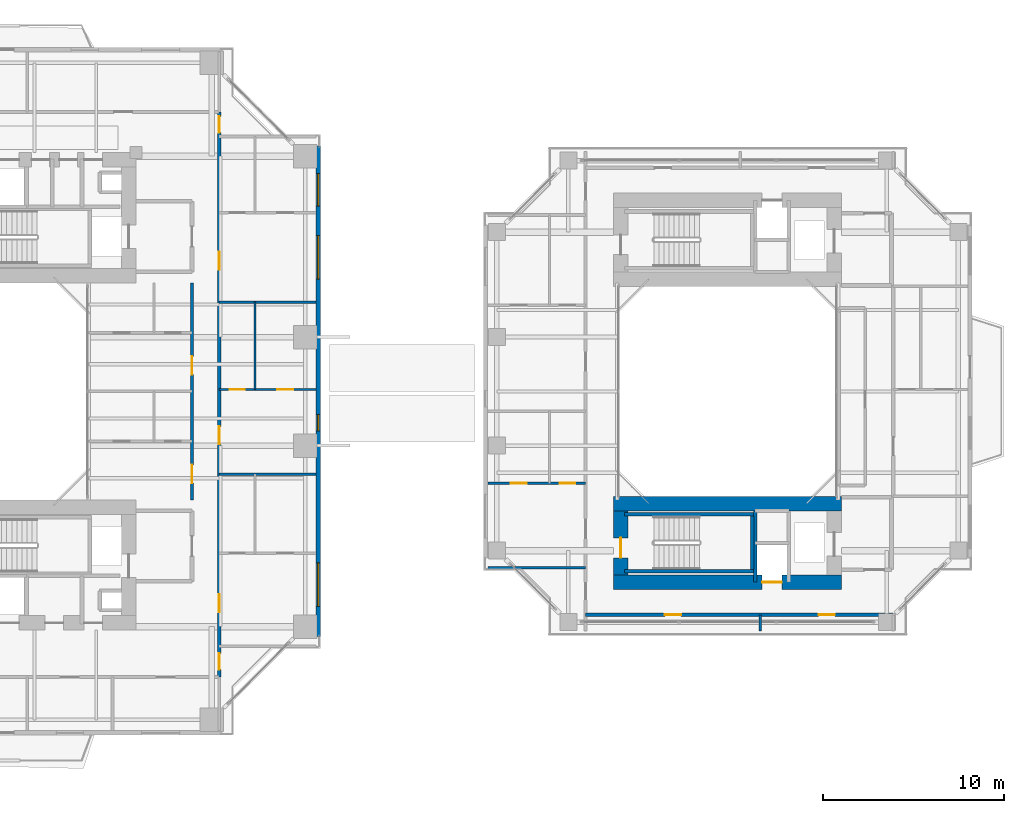
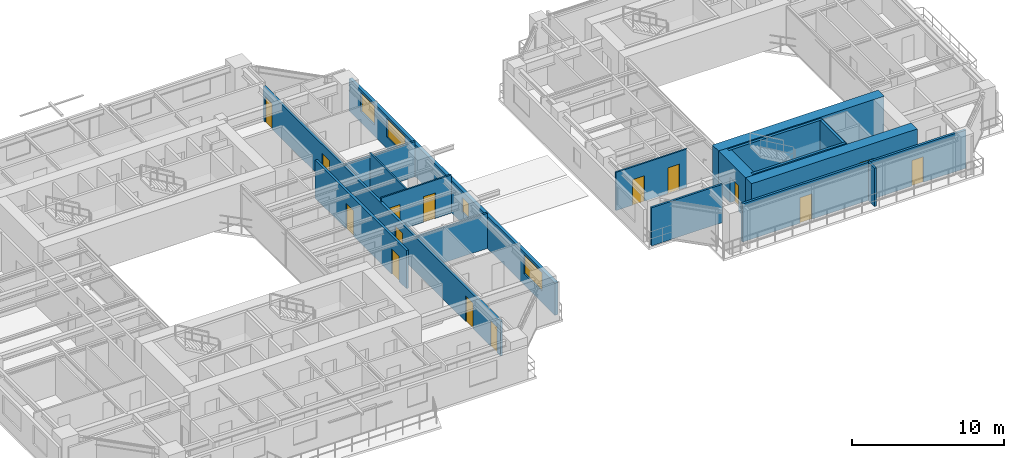
# One storey, part 14 of 23: 18 walls, 15 doors, 4 windows, 19 openings.
"""IFC4 building model written with IfcOpenShell, lengths in metres."""

from ifc_helpers import new_model, si_unit, direction, frame, frame_2d, origin, place, context, subcontext, project, spatial, rectangle, extrude, source, transform, mapped, material, layer, layer_set, type_object, element, fill, save


model = new_model("IFC4")

# Units and contexts
model_context = context("Model", 3, precision=1e-05, world=origin(), true_north=direction((0.0, 1.0)))
body_context = subcontext(model_context, "Body", "Model", "MODEL_VIEW")
ifc_project = project(units=[si_unit("LENGTHUNIT", "METRE"), si_unit("AREAUNIT", "SQUARE_METRE"), si_unit("VOLUMEUNIT", "CUBIC_METRE"), si_unit("PLANEANGLEUNIT", "RADIAN"), si_unit("MASSUNIT", "GRAM", prefix="KILO"), si_unit("THERMODYNAMICTEMPERATUREUNIT", "KELVIN"), si_unit("POWERUNIT", "WATT")], contexts=[model_context])

# Site, building, storey
site_placement = place(None, origin())
site = spatial("IfcSite", under=ifc_project, at=site_placement, CompositionType="ELEMENT")
building_placement = place(site_placement, origin())
building = spatial("IfcBuilding", under=site, at=building_placement, Name="Qiaomeng Ring Towers", CompositionType="ELEMENT")
storey_placement = place(building_placement, frame((0.0, 0.0, 50.25)))
storey = spatial("IfcBuildingStorey", under=building, at=storey_placement, Name="L13", CompositionType="ELEMENT", Elevation=50.25)

# Wall, openings, windows
ifc_material_1 = material(Name="Precast concrete C40", Category="concrete")
ifc_layer_1 = layer(ifc_material_1, 0.25, Name="Precast concrete C40")
ifc_layer_set_1 = layer_set([ifc_layer_1], Name="Precast concrete C40")
wall_type_1 = type_object("IfcWallType", Name="ARC-WL-EW1", PredefinedType="STANDARD", material=ifc_layer_set_1)
wall_1_placement = place(storey_placement, frame((37.875, 9.449951171875, 0.0), z_axis=(0.0, 0.0, 1.0), x_axis=(0.0, 1.0, 0.0)))
wall_1 = element("IfcWall", 1, at=wall_1_placement, inside=storey, type_object=wall_type_1, Name="L13 Tower 1 E Exterior Wall", PredefinedType="STANDARD", context=body_context, shape_type="SweptSolid", body=[
    extrude(rectangle(XDim=27.10009765625, YDim=0.25, at=frame_2d((13.550048828125, 0.0))), origin(), (0.0, 0.0, 1.0), 2.610107421875),
])
opening_1_placement = place(wall_1_placement, frame((1.672607421875, 0.0, 0.89990234375)))
opening_1 = element("IfcOpeningElement", 2, at=opening_1_placement, cuts=wall_1, Name="Opening WN6", PredefinedType="OPENING", context=body_context, shape_type="SweptSolid", body=[
    extrude(rectangle(XDim=2.39990234375, YDim=1.5, at=frame_2d((1.199951171875, 0.75))), frame((0.0, 0.135009765625, 0.0), z_axis=(0.0, -1.0, 0.0), x_axis=(1.0, 0.0, 0.0)), (0.0, 0.0, 1.0), 0.27001953125),
])
opening_2_placement = place(wall_1_placement, frame((23.78759765625, 0.0, 0.89990234375)))
opening_2 = element("IfcOpeningElement", 3, at=opening_2_placement, cuts=wall_1, Name="Opening WN1", PredefinedType="OPENING", context=body_context, shape_type="SweptSolid", body=[
    extrude(rectangle(XDim=1.800048828125, YDim=1.5, at=frame_2d((0.89990234375, 0.75))), frame((0.0, 0.135009765625, 0.0), z_axis=(0.0, -1.0, 0.0), x_axis=(1.0, 0.0, 0.0)), (0.0, 0.0, 1.0), 0.27001953125),
])
opening_3_placement = place(wall_1_placement, frame((19.757568359375, 0.0, 0.89990234375)))
opening_3 = element("IfcOpeningElement", 4, at=opening_3_placement, cuts=wall_1, Name="Opening WN6", PredefinedType="OPENING", context=body_context, shape_type="SweptSolid", body=[
    extrude(rectangle(XDim=2.39990234375, YDim=1.5, at=frame_2d((1.199951171875, 0.75))), frame((0.0, 0.135009765625, 0.0), z_axis=(0.0, -1.0, 0.0), x_axis=(1.0, 0.0, 0.0)), (0.0, 0.0, 1.0), 0.27001953125),
])
opening_4_placement = place(wall_1_placement, frame((11.364990234375, 0.0, 0.89990234375)))
opening_4 = element("IfcOpeningElement", 5, at=opening_4_placement, cuts=wall_1, Name="Opening WN5", PredefinedType="OPENING", context=body_context, shape_type="SweptSolid", body=[
    extrude(rectangle(XDim=0.89990234375, YDim=1.199951171875, at=frame_2d((0.449951171875, 0.60009765625))), frame((0.0, 0.135009765625, 0.0), z_axis=(0.0, -1.0, 0.0), x_axis=(1.0, 0.0, 0.0)), (0.0, 0.0, 1.0), 0.27001953125),
])
ifc_material_2 = material(Name="Low-E dark-grey laminated double glazing", Category="glass")
window_type_1 = type_object("IfcWindowType", Name="ARC-WN-6", PartitioningType="TRIPLE_PANEL_VERTICAL", PredefinedType="WINDOW", material=ifc_material_2)
shared_shape_1 = source(origin(), body_context, "Body", "SweptSolid", [
    extrude(rectangle(XDim=2.39990234375, YDim=1.5, at=frame_2d((1.199951171875, 0.75))), frame((0.0, 0.030029296875, 0.0), z_axis=(0.0, -1.0, 0.0), x_axis=(1.0, 0.0, 0.0)), (0.0, 0.0, 1.0), 0.06005859375),
])
window_1_placement = place(opening_1_placement, origin())
window_1 = element("IfcWindow", 6, at=window_1_placement, inside=storey, type_object=window_type_1, Name="L13 Exterior Window WN6", OverallHeight=1.5, OverallWidth=2.39990234375, PartitioningType="TRIPLE_PANEL_VERTICAL", PredefinedType="WINDOW", context=body_context, shape_type="MappedRepresentation", body=[
    mapped(shared_shape_1, transform((0.0, 0.0, 0.0), x_axis=(1.0, 0.0, 0.0), y_axis=(0.0, 1.0, 0.0), z_axis=(0.0, 0.0, 1.0), scale=1.0)),
])
fill(opening_1, window_1)
window_2_placement = place(opening_3_placement, origin())
window_2 = element("IfcWindow", 7, at=window_2_placement, inside=storey, type_object=window_type_1, Name="L13 Exterior Window WN6", OverallHeight=1.5, OverallWidth=2.39990234375, PartitioningType="TRIPLE_PANEL_VERTICAL", PredefinedType="WINDOW", context=body_context, shape_type="MappedRepresentation", body=[
    mapped(shared_shape_1, transform((0.0, 0.0, 0.0), x_axis=(1.0, 0.0, 0.0), y_axis=(0.0, 1.0, 0.0), z_axis=(0.0, 0.0, 1.0), scale=1.0)),
])
fill(opening_3, window_2)
window_type_2 = type_object("IfcWindowType", Name="ARC-WN-1", PartitioningType="DOUBLE_PANEL_VERTICAL", PredefinedType="WINDOW", material=ifc_material_2)
shared_shape_2 = source(origin(), body_context, "Body", "SweptSolid", [
    extrude(rectangle(XDim=1.800048828125, YDim=1.5, at=frame_2d((0.89990234375, 0.75))), frame((0.0, 0.030029296875, 0.0), z_axis=(0.0, -1.0, 0.0), x_axis=(1.0, 0.0, 0.0)), (0.0, 0.0, 1.0), 0.06005859375),
])
window_3_placement = place(opening_2_placement, origin())
window_3 = element("IfcWindow", 8, at=window_3_placement, inside=storey, type_object=window_type_2, Name="L13 Exterior Window WN4", OverallHeight=1.5, OverallWidth=1.800048828125, PartitioningType="TRIPLE_PANEL_VERTICAL", PredefinedType="WINDOW", context=body_context, shape_type="MappedRepresentation", body=[
    mapped(shared_shape_2, transform((0.0, 0.0, 0.0), x_axis=(1.0, 0.0, 0.0), y_axis=(0.0, 1.0, 0.0), z_axis=(0.0, 0.0, 1.0), scale=1.0)),
])
fill(opening_2, window_3)
window_type_3 = type_object("IfcWindowType", Name="ARC-WN-5", PartitioningType="SINGLE_PANEL", PredefinedType="WINDOW", material=ifc_material_2)
shared_shape_3 = source(origin(), body_context, "Body", "SweptSolid", [
    extrude(rectangle(XDim=0.89990234375, YDim=1.199951171875, at=frame_2d((0.449951171875, 0.60009765625))), frame((0.0, 0.030029296875, 0.0), z_axis=(0.0, -1.0, 0.0), x_axis=(1.0, 0.0, 0.0)), (0.0, 0.0, 1.0), 0.06005859375),
])
window_4_placement = place(opening_4_placement, origin())
window_4 = element("IfcWindow", 9, at=window_4_placement, inside=storey, type_object=window_type_3, Name="L13 Exterior Window WN5", OverallHeight=1.199951171875, OverallWidth=0.89990234375, PartitioningType="SINGLE_PANEL", PredefinedType="WINDOW", context=body_context, shape_type="MappedRepresentation", body=[
    mapped(shared_shape_3, transform((0.0, 0.0, 0.0), x_axis=(1.0, 0.0, 0.0), y_axis=(0.0, 1.0, 0.0), z_axis=(0.0, 0.0, 1.0), scale=1.0)),
])
fill(opening_4, window_4)

# Wall, openings, doors
ifc_material_3 = material(Name="Autoclaved aerated concrete block", Category="concrete")
ifc_layer_2 = layer(ifc_material_3, 0.179931640625, Name="Autoclaved aerated concrete block")
ifc_layer_set_2 = layer_set([ifc_layer_2], Name="Autoclaved aerated concrete block")
wall_type_2 = type_object("IfcWallType", Name="ARC-WL-PW2", PredefinedType="PARTITIONING", material=ifc_layer_set_2)
wall_2_placement = place(storey_placement, frame((32.39990234375, 7.2099609375, 0.0), z_axis=(0.0, 0.0, 1.0), x_axis=(0.0, 1.0, 0.0)))
wall_2 = element("IfcWall", 10, at=wall_2_placement, inside=storey, type_object=wall_type_2, Name="L13 Interior Wall PW2", PredefinedType="PARTITIONING", context=body_context, shape_type="SweptSolid", body=[
    extrude(rectangle(XDim=31.22998046875, YDim=0.179931640625, at=frame_2d((15.614990234375, 0.0))), origin(), (0.0, 0.0, 1.0), 2.764892578125),
])
opening_5_placement = place(wall_2_placement, frame((30.090087890625, 0.0, 0.0)))
opening_5 = element("IfcOpeningElement", 11, at=opening_5_placement, cuts=wall_2, Name="Opening ID1", PredefinedType="OPENING", context=body_context, shape_type="SweptSolid", body=[
    extrude(rectangle(XDim=0.89990234375, YDim=2.050048828125, at=frame_2d((0.449951171875, 1.02490234375))), frame((0.0, 0.099853515625, 0.0), z_axis=(0.0, -1.0, 0.0), x_axis=(1.0, 0.0, 0.0)), (0.0, 0.0, 1.0), 0.199951171875),
])
opening_6_placement = place(wall_2_placement, frame((0.4150390625, 0.0, 0.0)))
opening_6 = element("IfcOpeningElement", 12, at=opening_6_placement, cuts=wall_2, Name="Opening ID1", PredefinedType="OPENING", context=body_context, shape_type="SweptSolid", body=[
    extrude(rectangle(XDim=0.89990234375, YDim=2.050048828125, at=frame_2d((0.449951171875, 1.02490234375))), frame((0.0, 0.099853515625, 0.0), z_axis=(0.0, -1.0, 0.0), x_axis=(1.0, 0.0, 0.0)), (0.0, 0.0, 1.0), 0.199951171875),
])
opening_7_placement = place(wall_2_placement, frame((3.5849609375, 0.0, 0.0)))
opening_7 = element("IfcOpeningElement", 13, at=opening_7_placement, cuts=wall_2, Name="Opening FD4", PredefinedType="OPENING", context=body_context, shape_type="SweptSolid", body=[
    extrude(rectangle(XDim=1.0, YDim=2.050048828125, at=frame_2d((0.5, 1.02490234375))), frame((0.0, 0.099853515625, 0.0), z_axis=(0.0, -1.0, 0.0), x_axis=(1.0, 0.0, 0.0)), (0.0, 0.0, 1.0), 0.199951171875),
])
opening_8_placement = place(wall_2_placement, frame((12.860107421875, 0.0, 0.0)))
opening_8 = element("IfcOpeningElement", 14, at=opening_8_placement, cuts=wall_2, Name="Opening FD4", PredefinedType="OPENING", context=body_context, shape_type="SweptSolid", body=[
    extrude(rectangle(XDim=1.0, YDim=2.050048828125, at=frame_2d((0.5, 1.02490234375))), frame((0.0, 0.099853515625, 0.0), z_axis=(0.0, -1.0, 0.0), x_axis=(1.0, 0.0, 0.0)), (0.0, 0.0, 1.0), 0.199951171875),
])
opening_9_placement = place(wall_2_placement, frame((22.5, 0.0, 0.0)))
opening_9 = element("IfcOpeningElement", 15, at=opening_9_placement, cuts=wall_2, Name="Opening FD4", PredefinedType="OPENING", context=body_context, shape_type="SweptSolid", body=[
    extrude(rectangle(XDim=1.0, YDim=2.050048828125, at=frame_2d((0.5, 1.02490234375))), frame((0.0, 0.099853515625, 0.0), z_axis=(0.0, -1.0, 0.0), x_axis=(1.0, 0.0, 0.0)), (0.0, 0.0, 1.0), 0.199951171875),
])
ifc_material_4 = material(Name="Engineered fire-rated oak timber", Category="wood")
door_type_1 = type_object("IfcDoorType", Name="ARC-DR-FD4", OperationType="NOTDEFINED", PredefinedType="DOOR", material=ifc_material_4)
shared_shape_4 = source(origin(), body_context, "Body", "SweptSolid", [
    extrude(rectangle(XDim=1.0, YDim=2.050048828125, at=frame_2d((0.5, 1.02490234375))), frame((0.0, 0.02490234375, 0.0), z_axis=(0.0, -1.0, 0.0), x_axis=(1.0, 0.0, 0.0)), (0.0, 0.0, 1.0), 0.050048828125),
])
door_1_placement = place(opening_7_placement, origin())
door_1 = element("IfcDoor", 16, at=door_1_placement, inside=storey, type_object=door_type_1, Name="L13 Door FD4", OperationType="SINGLE_SWING_RIGHT", OverallHeight=2.050048828125, OverallWidth=1.0, PredefinedType="DOOR", context=body_context, shape_type="MappedRepresentation", body=[
    mapped(shared_shape_4, transform((0.0, 0.0, 0.0), x_axis=(1.0, 0.0, 0.0), y_axis=(0.0, 1.0, 0.0), z_axis=(0.0, 0.0, 1.0), scale=1.0)),
])
fill(opening_7, door_1)
door_2_placement = place(opening_8_placement, origin())
door_2 = element("IfcDoor", 17, at=door_2_placement, inside=storey, type_object=door_type_1, Name="L13 Door FD4", OperationType="SINGLE_SWING_LEFT", OverallHeight=2.050048828125, OverallWidth=1.0, PredefinedType="DOOR", context=body_context, shape_type="MappedRepresentation", body=[
    mapped(shared_shape_4, transform((0.0, 0.0, 0.0), x_axis=(1.0, 0.0, 0.0), y_axis=(0.0, 1.0, 0.0), z_axis=(0.0, 0.0, 1.0), scale=1.0)),
])
fill(opening_8, door_2)
door_3_placement = place(opening_9_placement, origin())
door_3 = element("IfcDoor", 18, at=door_3_placement, inside=storey, type_object=door_type_1, Name="L13 Door FD4", OperationType="SINGLE_SWING_RIGHT", OverallHeight=2.050048828125, OverallWidth=1.0, PredefinedType="DOOR", context=body_context, shape_type="MappedRepresentation", body=[
    mapped(shared_shape_4, transform((0.0, 0.0, 0.0), x_axis=(1.0, 0.0, 0.0), y_axis=(0.0, 1.0, 0.0), z_axis=(0.0, 0.0, 1.0), scale=1.0)),
])
fill(opening_9, door_3)
ifc_material_5 = material(Name="Engineered oak timber", Category="wood")
door_type_2 = type_object("IfcDoorType", Name="ARC-DR-ID1", OperationType="NOTDEFINED", PredefinedType="DOOR", material=ifc_material_5)
shared_shape_5 = source(origin(), body_context, "Body", "SweptSolid", [
    extrude(rectangle(XDim=0.89990234375, YDim=2.050048828125, at=frame_2d((0.449951171875, 1.02490234375))), frame((0.0, 0.02490234375, 0.0), z_axis=(0.0, -1.0, 0.0), x_axis=(1.0, 0.0, 0.0)), (0.0, 0.0, 1.0), 0.050048828125),
])
door_4_placement = place(opening_5_placement, origin())
door_4 = element("IfcDoor", 19, at=door_4_placement, inside=storey, type_object=door_type_2, Name="L13 Door ID1", OperationType="SINGLE_SWING_RIGHT", OverallHeight=2.050048828125, OverallWidth=0.89990234375, PredefinedType="DOOR", context=body_context, shape_type="MappedRepresentation", body=[
    mapped(shared_shape_5, transform((0.0, 0.0, 0.0), x_axis=(1.0, 0.0, 0.0), y_axis=(0.0, 1.0, 0.0), z_axis=(0.0, 0.0, 1.0), scale=1.0)),
])
fill(opening_5, door_4)
door_5_placement = place(opening_6_placement, origin())
door_5 = element("IfcDoor", 20, at=door_5_placement, inside=storey, type_object=door_type_2, Name="L13 Door ID1", OperationType="SINGLE_SWING_LEFT", OverallHeight=2.050048828125, OverallWidth=0.89990234375, PredefinedType="DOOR", context=body_context, shape_type="MappedRepresentation", body=[
    mapped(shared_shape_5, transform((0.0, 0.0, 0.0), x_axis=(1.0, 0.0, 0.0), y_axis=(0.0, 1.0, 0.0), z_axis=(0.0, 0.0, 1.0), scale=1.0)),
])
fill(opening_6, door_5)

wall_3_placement = place(storey_placement, frame((30.89990234375, 17.0, 0.0), z_axis=(0.0, 0.0, 1.0), x_axis=(0.0, 1.0, 0.0)))
wall_3 = element("IfcWall", 21, at=wall_3_placement, inside=storey, type_object=wall_type_2, Name="L13 Interior Wall PW2", PredefinedType="PARTITIONING", context=body_context, shape_type="SweptSolid", body=[
    extrude(rectangle(XDim=12.0, YDim=0.179931640625, at=frame_2d((6.0, 0.0))), origin(), (0.0, 0.0, 1.0), 3.070068359375),
])
opening_10_placement = place(wall_3_placement, frame((0.929931640625, 0.0, 0.0)))
opening_10 = element("IfcOpeningElement", 22, at=opening_10_placement, cuts=wall_3, Name="Opening FD4", PredefinedType="OPENING", context=body_context, shape_type="SweptSolid", body=[
    extrude(rectangle(XDim=1.0, YDim=2.050048828125, at=frame_2d((0.5, 1.02490234375))), frame((0.0, 0.099853515625, 0.0), z_axis=(0.0, -1.0, 0.0), x_axis=(1.0, 0.0, 0.0)), (0.0, 0.0, 1.0), 0.199951171875),
])
opening_11_placement = place(wall_3_placement, frame((6.929931640625, 0.0, 0.0)))
opening_11 = element("IfcOpeningElement", 23, at=opening_11_placement, cuts=wall_3, Name="Opening FD4", PredefinedType="OPENING", context=body_context, shape_type="SweptSolid", body=[
    extrude(rectangle(XDim=1.0, YDim=2.050048828125, at=frame_2d((0.5, 1.02490234375))), frame((0.0, 0.099853515625, 0.0), z_axis=(0.0, -1.0, 0.0), x_axis=(1.0, 0.0, 0.0)), (0.0, 0.0, 1.0), 0.199951171875),
])
door_6_placement = place(opening_10_placement, origin())
door_6 = element("IfcDoor", 24, at=door_6_placement, inside=storey, type_object=door_type_1, Name="L13 Door FD4", OperationType="SINGLE_SWING_LEFT", OverallHeight=2.050048828125, OverallWidth=1.0, PredefinedType="DOOR", context=body_context, shape_type="MappedRepresentation", body=[
    mapped(shared_shape_4, transform((0.0, 0.0, 0.0), x_axis=(1.0, 0.0, 0.0), y_axis=(0.0, 1.0, 0.0), z_axis=(0.0, 0.0, 1.0), scale=1.0)),
])
fill(opening_10, door_6)
door_7_placement = place(opening_11_placement, origin())
door_7 = element("IfcDoor", 25, at=door_7_placement, inside=storey, type_object=door_type_1, Name="L13 Door FD4", OperationType="SINGLE_SWING_RIGHT", OverallHeight=2.050048828125, OverallWidth=1.0, PredefinedType="DOOR", context=body_context, shape_type="MappedRepresentation", body=[
    mapped(shared_shape_4, transform((0.0, 0.0, 0.0), x_axis=(1.0, 0.0, 0.0), y_axis=(0.0, 1.0, 0.0), z_axis=(0.0, 0.0, 1.0), scale=1.0)),
])
fill(opening_11, door_7)

wall_4_placement = place(storey_placement, frame((52.64990234375, 10.64990234375, 0.0), z_axis=(0.0, 0.0, 1.0), x_axis=(1.0, 0.0, 0.0)))
wall_4 = element("IfcWall", 26, at=wall_4_placement, inside=storey, type_object=wall_type_2, Name="L13 Interior Wall PW2", PredefinedType="PARTITIONING", context=body_context, shape_type="SweptSolid", body=[
    extrude(rectangle(XDim=17.0, YDim=0.179931640625, at=frame_2d((8.5, 0.0))), origin(), (0.0, 0.0, 1.0), 3.070068359375),
])
opening_12_placement = place(wall_4_placement, frame((4.375, 0.0, 0.0)))
opening_12 = element("IfcOpeningElement", 27, at=opening_12_placement, cuts=wall_4, Name="Opening ID1", PredefinedType="OPENING", context=body_context, shape_type="SweptSolid", body=[
    extrude(rectangle(XDim=0.89990234375, YDim=2.050048828125, at=frame_2d((0.449951171875, 1.02490234375))), frame((0.0, 0.099853515625, 0.0), z_axis=(0.0, -1.0, 0.0), x_axis=(1.0, 0.0, 0.0)), (0.0, 0.0, 1.0), 0.199951171875),
])
opening_13_placement = place(wall_4_placement, frame((12.875, 0.0, 0.0)))
opening_13 = element("IfcOpeningElement", 28, at=opening_13_placement, cuts=wall_4, Name="Opening ID1", PredefinedType="OPENING", context=body_context, shape_type="SweptSolid", body=[
    extrude(rectangle(XDim=0.89990234375, YDim=2.050048828125, at=frame_2d((0.449951171875, 1.02490234375))), frame((0.0, 0.099853515625, 0.0), z_axis=(0.0, -1.0, 0.0), x_axis=(1.0, 0.0, 0.0)), (0.0, 0.0, 1.0), 0.199951171875),
])
door_8_placement = place(opening_12_placement, origin())
door_8 = element("IfcDoor", 29, at=door_8_placement, inside=storey, type_object=door_type_2, Name="L13 Door ID1", OperationType="SINGLE_SWING_LEFT", OverallHeight=2.050048828125, OverallWidth=0.89990234375, PredefinedType="DOOR", context=body_context, shape_type="MappedRepresentation", body=[
    mapped(shared_shape_5, transform((0.0, 0.0, 0.0), x_axis=(1.0, 0.0, 0.0), y_axis=(0.0, 1.0, 0.0), z_axis=(0.0, 0.0, 1.0), scale=1.0)),
])
fill(opening_12, door_8)
door_9_placement = place(opening_13_placement, origin())
door_9 = element("IfcDoor", 30, at=door_9_placement, inside=storey, type_object=door_type_2, Name="L13 Door ID1", OperationType="SINGLE_SWING_RIGHT", OverallHeight=2.050048828125, OverallWidth=0.89990234375, PredefinedType="DOOR", context=body_context, shape_type="MappedRepresentation", body=[
    mapped(shared_shape_5, transform((0.0, 0.0, 0.0), x_axis=(1.0, 0.0, 0.0), y_axis=(0.0, 1.0, 0.0), z_axis=(0.0, 0.0, 1.0), scale=1.0)),
])
fill(opening_13, door_9)

# Walls
ifc_material_6 = material(Name="Gypsum fireboard steel-stud partition", Category="steel")
ifc_layer_3 = layer(ifc_material_6, 0.14990234375, Name="Gypsum fireboard steel-stud partition")
ifc_layer_set_3 = layer_set([ifc_layer_3], Name="Gypsum fireboard steel-stud partition")
wall_type_3 = type_object("IfcWallType", Name="ARC-WL-PW3", PredefinedType="PARTITIONING", material=ifc_layer_set_3)
for number, where, z_axis, x_axis, name in (
    (31, (32.39990234375, 18.419921875, 0.0), (0.0, 0.0, 1.0), (1.0, 0.0, 0.0), "L13 Interior Wall PW3"),
    (32, (32.39990234375, 27.929931640625, 0.0), (0.0, 0.0, 1.0), (1.0, 0.0, 0.0), "L13 Interior Wall PW3"),
):
    element("IfcWall", number, at=place(storey_placement, frame(where, z_axis=z_axis, x_axis=x_axis)), inside=storey, type_object=wall_type_3, Name=name, PredefinedType="PARTITIONING", context=body_context, shape_type="SweptSolid", body=[
        extrude(rectangle(XDim=5.35009765625, YDim=0.14990234375, at=frame_2d((2.675048828125, 0.0))), origin(), (0.0, 0.0, 1.0), 2.821044921875),
    ])
wall_5_placement = place(storey_placement, frame((47.25, 13.25, 0.0), z_axis=(0.0, 0.0, 1.0), x_axis=(1.0, 0.0, 0.0)))
element("IfcWall", 33, at=wall_5_placement, inside=storey, type_object=wall_type_3, Name="L13 Interior Wall PW3", PredefinedType="PARTITIONING", context=body_context, shape_type="SweptSolid", body=[
    extrude(rectangle(XDim=5.39990234375, YDim=0.14990234375, at=frame_2d((2.699951171875, 0.0))), origin(), (0.0, 0.0, 1.0), 3.070068359375),
])
wall_6_placement = place(storey_placement, frame((62.300048828125, 9.75, 0.0), z_axis=(0.0, 0.0, 1.0), x_axis=(0.0, 1.0, 0.0)))
element("IfcWall", 34, at=wall_6_placement, inside=storey, type_object=wall_type_3, Name="L13 Interior Wall PW3", PredefinedType="PARTITIONING", context=body_context, shape_type="SweptSolid", body=[
    extrude(rectangle(XDim=0.89990234375, YDim=0.14990234375, at=frame_2d((0.449951171875, 0.0))), origin(), (0.0, 0.0, 1.0), 3.070068359375),
])

# Wall, openings, doors
ifc_material_7 = material(Name="Moisture-resistant gypsum steel-stud partition", Category="steel")
ifc_layer_4 = layer(ifc_material_7, 0.1201171875, Name="Moisture-resistant gypsum steel-stud partition")
ifc_layer_set_4 = layer_set([ifc_layer_4], Name="Moisture-resistant gypsum steel-stud partition")
wall_type_4 = type_object("IfcWallType", Name="ARC-WL-PW4", PredefinedType="PLUMBINGWALL", material=ifc_layer_set_4)
wall_7_placement = place(storey_placement, frame((32.39990234375, 23.10009765625, 0.0), z_axis=(0.0, 0.0, 1.0), x_axis=(1.0, 0.0, 0.0)))
wall_7 = element("IfcWall", 35, at=wall_7_placement, inside=storey, type_object=wall_type_4, Name="L13 Interior Wall PW4", PredefinedType="PLUMBINGWALL", context=body_context, shape_type="SweptSolid", body=[
    extrude(rectangle(XDim=5.35009765625, YDim=0.1201171875, at=frame_2d((2.675048828125, 0.0))), origin(), (0.0, 0.0, 1.0), 3.070068359375),
])
opening_14_placement = place(wall_7_placement, frame((0.574951171875, 0.0, 0.0)))
opening_14 = element("IfcOpeningElement", 36, at=opening_14_placement, cuts=wall_7, Name="Opening ID2", PredefinedType="OPENING", context=body_context, shape_type="SweptSolid", body=[
    extrude(rectangle(XDim=0.85009765625, YDim=2.050048828125, at=frame_2d((0.425048828125, 1.02490234375))), frame((0.0, 0.070068359375, 0.0), z_axis=(0.0, -1.0, 0.0), x_axis=(1.0, 0.0, 0.0)), (0.0, 0.0, 1.0), 0.14013671875),
])
opening_15_placement = place(wall_7_placement, frame((3.205078125, 0.0, 0.0)))
opening_15 = element("IfcOpeningElement", 37, at=opening_15_placement, cuts=wall_7, Name="Opening ID1", PredefinedType="OPENING", context=body_context, shape_type="SweptSolid", body=[
    extrude(rectangle(XDim=0.89990234375, YDim=2.050048828125, at=frame_2d((0.449951171875, 1.02490234375))), frame((0.0, 0.070068359375, 0.0), z_axis=(0.0, -1.0, 0.0), x_axis=(1.0, 0.0, 0.0)), (0.0, 0.0, 1.0), 0.14013671875),
])
ifc_material_8 = material(Name="Moisture-resistant engineered timber", Category="wood")
door_type_3 = type_object("IfcDoorType", Name="ARC-DR-ID2", OperationType="NOTDEFINED", PredefinedType="DOOR", material=ifc_material_8)
shared_shape_6 = source(origin(), body_context, "Body", "SweptSolid", [
    extrude(rectangle(XDim=0.85009765625, YDim=2.050048828125, at=frame_2d((0.425048828125, 1.02490234375))), frame((0.0, 0.02490234375, 0.0), z_axis=(0.0, -1.0, 0.0), x_axis=(1.0, 0.0, 0.0)), (0.0, 0.0, 1.0), 0.050048828125),
])
door_10_placement = place(opening_14_placement, origin())
door_10 = element("IfcDoor", 38, at=door_10_placement, inside=storey, type_object=door_type_3, Name="L13 Door ID2", OperationType="SINGLE_SWING_LEFT", OverallHeight=2.050048828125, OverallWidth=0.85009765625, PredefinedType="DOOR", context=body_context, shape_type="MappedRepresentation", body=[
    mapped(shared_shape_6, transform((0.0, 0.0, 0.0), x_axis=(1.0, 0.0, 0.0), y_axis=(0.0, 1.0, 0.0), z_axis=(0.0, 0.0, 1.0), scale=1.0)),
])
fill(opening_14, door_10)
door_11_placement = place(opening_15_placement, origin())
door_11 = element("IfcDoor", 39, at=door_11_placement, inside=storey, type_object=door_type_2, Name="L13 Door ID1", OperationType="SINGLE_SWING_RIGHT", OverallHeight=2.050048828125, OverallWidth=0.89990234375, PredefinedType="DOOR", context=body_context, shape_type="MappedRepresentation", body=[
    mapped(shared_shape_5, transform((0.0, 0.0, 0.0), x_axis=(1.0, 0.0, 0.0), y_axis=(0.0, 1.0, 0.0), z_axis=(0.0, 0.0, 1.0), scale=1.0)),
])
fill(opening_15, door_11)

# Wall
wall_8_placement = place(storey_placement, frame((34.3798828125, 23.10009765625, 0.0), z_axis=(0.0, 0.0, 1.0), x_axis=(0.0, 1.0, 0.0)))
element("IfcWall", 40, at=wall_8_placement, inside=storey, type_object=wall_type_4, Name="L13 Interior Wall PW4", PredefinedType="PLUMBINGWALL", context=body_context, shape_type="SweptSolid", body=[
    extrude(rectangle(XDim=4.829833984375, YDim=0.1201171875, at=frame_2d((2.4150390625, 0.0))), origin(), (0.0, 0.0, 1.0), 3.070068359375),
])

# Wall, openings, doors
wall_9_placement = place(storey_placement, frame((47.25, 17.919921875, 0.0), z_axis=(0.0, 0.0, 1.0), x_axis=(1.0, 0.0, 0.0)))
wall_9 = element("IfcWall", 41, at=wall_9_placement, inside=storey, type_object=wall_type_4, Name="L13 Interior Wall PW4", PredefinedType="PLUMBINGWALL", context=body_context, shape_type="SweptSolid", body=[
    extrude(rectangle(XDim=5.39990234375, YDim=0.1201171875, at=frame_2d((2.699951171875, 0.0))), origin(), (0.0, 0.0, 1.0), 3.070068359375),
])
opening_16_placement = place(wall_9_placement, frame((1.260009765625, 0.0, 0.0)))
opening_16 = element("IfcOpeningElement", 42, at=opening_16_placement, cuts=wall_9, Name="Opening ID1", PredefinedType="OPENING", context=body_context, shape_type="SweptSolid", body=[
    extrude(rectangle(XDim=0.89990234375, YDim=2.050048828125, at=frame_2d((0.449951171875, 1.02490234375))), frame((0.0, 0.070068359375, 0.0), z_axis=(0.0, -1.0, 0.0), x_axis=(1.0, 0.0, 0.0)), (0.0, 0.0, 1.0), 0.14013671875),
])
opening_17_placement = place(wall_9_placement, frame((3.965087890625, 0.0, 0.0)))
opening_17 = element("IfcOpeningElement", 43, at=opening_17_placement, cuts=wall_9, Name="Opening ID2", PredefinedType="OPENING", context=body_context, shape_type="SweptSolid", body=[
    extrude(rectangle(XDim=0.85009765625, YDim=2.050048828125, at=frame_2d((0.425048828125, 1.02490234375))), frame((0.0, 0.070068359375, 0.0), z_axis=(0.0, -1.0, 0.0), x_axis=(1.0, 0.0, 0.0)), (0.0, 0.0, 1.0), 0.14013671875),
])
door_12_placement = place(opening_17_placement, origin())
door_12 = element("IfcDoor", 44, at=door_12_placement, inside=storey, type_object=door_type_3, Name="L13 Door ID2", OperationType="SINGLE_SWING_RIGHT", OverallHeight=2.050048828125, OverallWidth=0.85009765625, PredefinedType="DOOR", context=body_context, shape_type="MappedRepresentation", body=[
    mapped(shared_shape_6, transform((0.0, 0.0, 0.0), x_axis=(1.0, 0.0, 0.0), y_axis=(0.0, 1.0, 0.0), z_axis=(0.0, 0.0, 1.0), scale=1.0)),
])
fill(opening_17, door_12)
door_13_placement = place(opening_16_placement, origin())
door_13 = element("IfcDoor", 45, at=door_13_placement, inside=storey, type_object=door_type_2, Name="L13 Door ID1", OperationType="SINGLE_SWING_LEFT", OverallHeight=2.050048828125, OverallWidth=0.89990234375, PredefinedType="DOOR", context=body_context, shape_type="MappedRepresentation", body=[
    mapped(shared_shape_5, transform((0.0, 0.0, 0.0), x_axis=(1.0, 0.0, 0.0), y_axis=(0.0, 1.0, 0.0), z_axis=(0.0, 0.0, 1.0), scale=1.0)),
])
fill(opening_16, door_13)

# Walls
ifc_material_9 = material(Name="Concrete C40", Category="concrete")
ifc_layer_5 = layer(ifc_material_9, 0.199951171875, Name="Concrete C40")
ifc_layer_set_5 = layer_set([ifc_layer_5], Name="Concrete C40")
wall_type_5 = type_object("IfcWallType", Name="STR-WL-STSHAFT", PredefinedType="SHEAR", material=ifc_layer_set_5)
wall_10_placement = place(storey_placement, frame((62.02001953125, 12.449951171875, 0.0), z_axis=(0.0, 0.0, 1.0), x_axis=(0.0, 1.0, 0.0)))
element("IfcWall", 46, at=wall_10_placement, inside=storey, type_object=wall_type_5, Name="L13 Companion Lift Shaft West Wall S", PredefinedType="SHEAR", context=body_context, shape_type="SweptSolid", body=[
    extrude(rectangle(XDim=3.949951171875, YDim=0.179931640625, at=frame_2d((1.97509765625, 0.0))), origin(), (0.0, 0.0, 1.0), 3.070068359375),
])
for number, where, z_axis, x_axis, name in (
    (47, (54.800048828125, 13.06005859375, 0.0), (0.0, 0.0, 1.0), (1.0, 0.0, 0.0), "L13 Stair ST6 South Shaft Shear Wall"),
    (48, (54.800048828125, 16.199951171875, 0.0), (0.0, 0.0, 1.0), (1.0, 0.0, 0.0), "L13 Stair ST6 North Shaft Shear Wall"),
):
    element("IfcWall", number, at=place(storey_placement, frame(where, z_axis=z_axis, x_axis=x_axis)), inside=storey, type_object=wall_type_5, Name=name, PredefinedType="SHEAR", context=body_context, shape_type="SweptSolid", body=[
        extrude(rectangle(XDim=7.14990234375, YDim=0.199951171875, at=frame_2d((3.574951171875, 0.0))), origin(), (0.0, 0.0, 1.0), 3.25),
    ])
wall_11_placement = place(storey_placement, frame((61.85009765625, 13.159912109375, 0.0), z_axis=(0.0, 0.0, 1.0), x_axis=(0.0, 1.0, 0.0)))
element("IfcWall", 49, at=wall_11_placement, inside=storey, type_object=wall_type_5, Name="L13 Stair ST6 East Shaft Shear Wall", PredefinedType="SHEAR", context=body_context, shape_type="SweptSolid", body=[
    extrude(rectangle(XDim=2.940185546875, YDim=0.199951171875, at=frame_2d((1.47021484375, 0.0))), origin(), (0.0, 0.0, 1.0), 3.25),
])

# Wall, opening, door
ifc_material_10 = material(Name="Concrete C60", Category="concrete")
ifc_layer_6 = layer(ifc_material_10, 0.800048828125, Name="Concrete C60")
ifc_layer_set_6 = layer_set([ifc_layer_6], Name="Concrete C60")
wall_type_6 = type_object("IfcWallType", Name="STR-WL-SW1", PredefinedType="SHEAR", material=ifc_layer_set_6)
wall_12_placement = place(storey_placement, frame((54.199951171875, 12.449951171875, 0.0), z_axis=(0.0, 0.0, 1.0), x_axis=(1.0, 0.0, 0.0)))
wall_12 = element("IfcWall", 50, at=wall_12_placement, inside=storey, type_object=wall_type_6, Name="L13 T2SC south core shear wall", PredefinedType="SHEAR", context=body_context, shape_type="SweptSolid", body=[
    extrude(rectangle(XDim=12.60009765625, YDim=0.800048828125, at=frame_2d((6.300048828125, 0.0))), origin(), (0.0, 0.0, 1.0), 3.25),
])
opening_18_placement = place(wall_12_placement, frame((8.199951171875, 0.0, 0.0)))
opening_18 = element("IfcOpeningElement", 51, at=opening_18_placement, cuts=wall_12, Name="Opening LD1", PredefinedType="OPENING", context=body_context, shape_type="SweptSolid", body=[
    extrude(rectangle(XDim=1.10009765625, YDim=2.050048828125, at=frame_2d((0.550048828125, 1.02490234375))), frame((0.0, 0.409912109375, 0.0), z_axis=(0.0, -1.0, 0.0), x_axis=(1.0, 0.0, 0.0)), (0.0, 0.0, 1.0), 0.820068359375),
])
ifc_material_11 = material(Name="Stainless steel 316", Category="steel")
door_type_4 = type_object("IfcDoorType", Name="ARC-DR-LD1", OperationType="NOTDEFINED", PredefinedType="DOOR", material=ifc_material_11)
shared_shape_7 = source(origin(), body_context, "Body", "SweptSolid", [
    extrude(rectangle(XDim=1.10009765625, YDim=2.050048828125, at=frame_2d((0.550048828125, 1.02490234375))), frame((0.0, 0.02490234375, 0.0), z_axis=(0.0, -1.0, 0.0), x_axis=(1.0, 0.0, 0.0)), (0.0, 0.0, 1.0), 0.050048828125),
])
door_14_placement = place(opening_18_placement, origin())
door_14 = element("IfcDoor", 52, at=door_14_placement, inside=storey, type_object=door_type_4, Name="L13 Companion Lift LP8 Landing Door", OperationType="SLIDING_TO_RIGHT", OverallHeight=2.050048828125, OverallWidth=1.10009765625, PredefinedType="DOOR", context=body_context, shape_type="MappedRepresentation", body=[
    mapped(shared_shape_7, transform((0.0, 0.0, 0.0), x_axis=(1.0, 0.0, 0.0), y_axis=(0.0, 1.0, 0.0), z_axis=(0.0, 0.0, 1.0), scale=1.0)),
])
fill(opening_18, door_14)

# Wall
wall_13_placement = place(storey_placement, frame((54.199951171875, 16.800048828125, 0.0), z_axis=(0.0, 0.0, 1.0), x_axis=(1.0, 0.0, 0.0)))
element("IfcWall", 53, at=wall_13_placement, inside=storey, type_object=wall_type_6, Name="L13 T2SC north core shear wall", PredefinedType="SHEAR", context=body_context, shape_type="SweptSolid", body=[
    extrude(rectangle(XDim=12.60009765625, YDim=0.800048828125, at=frame_2d((6.300048828125, 0.0))), origin(), (0.0, 0.0, 1.0), 3.25),
])

# Wall, opening, door
wall_14_placement = place(storey_placement, frame((54.60009765625, 12.85009765625, 0.0), z_axis=(0.0, 0.0, 1.0), x_axis=(0.0, 1.0, 0.0)))
wall_14 = element("IfcWall", 54, at=wall_14_placement, inside=storey, type_object=wall_type_6, Name="L13 T2SC west core shear wall", PredefinedType="SHEAR", context=body_context, shape_type="SweptSolid", body=[
    extrude(rectangle(XDim=3.5498046875, YDim=0.800048828125, at=frame_2d((1.77490234375, 0.0))), origin(), (0.0, 0.0, 1.0), 3.25),
])
opening_19_placement = place(wall_14_placement, frame((0.949951171875, 0.0, 0.0)))
opening_19 = element("IfcOpeningElement", 55, at=opening_19_placement, cuts=wall_14, Name="Opening FD3", PredefinedType="OPENING", context=body_context, shape_type="SweptSolid", body=[
    extrude(rectangle(XDim=1.10009765625, YDim=2.050048828125, at=frame_2d((0.550048828125, 1.02490234375))), frame((0.0, 0.409912109375, 0.0), z_axis=(0.0, -1.0, 0.0), x_axis=(1.0, 0.0, 0.0)), (0.0, 0.0, 1.0), 0.820068359375),
])
ifc_material_12 = material(Name="Galvanised steel", Category="steel")
door_type_5 = type_object("IfcDoorType", Name="ARC-DR-FD3", OperationType="NOTDEFINED", PredefinedType="DOOR", material=ifc_material_12)
door_15_placement = place(opening_19_placement, origin())
door_15 = element("IfcDoor", 56, at=door_15_placement, inside=storey, type_object=door_type_5, Name="L13 Stair ST6 Exit Door", OperationType="SINGLE_SWING_RIGHT", OverallHeight=2.050048828125, OverallWidth=1.10009765625, PredefinedType="DOOR", context=body_context, shape_type="MappedRepresentation", body=[
    mapped(shared_shape_7, transform((0.0, 0.0, 0.0), x_axis=(1.0, 0.0, 0.0), y_axis=(0.0, 1.0, 0.0), z_axis=(0.0, 0.0, 1.0), scale=1.0)),
])
fill(opening_19, door_15)

save(model, "model.ifc")
